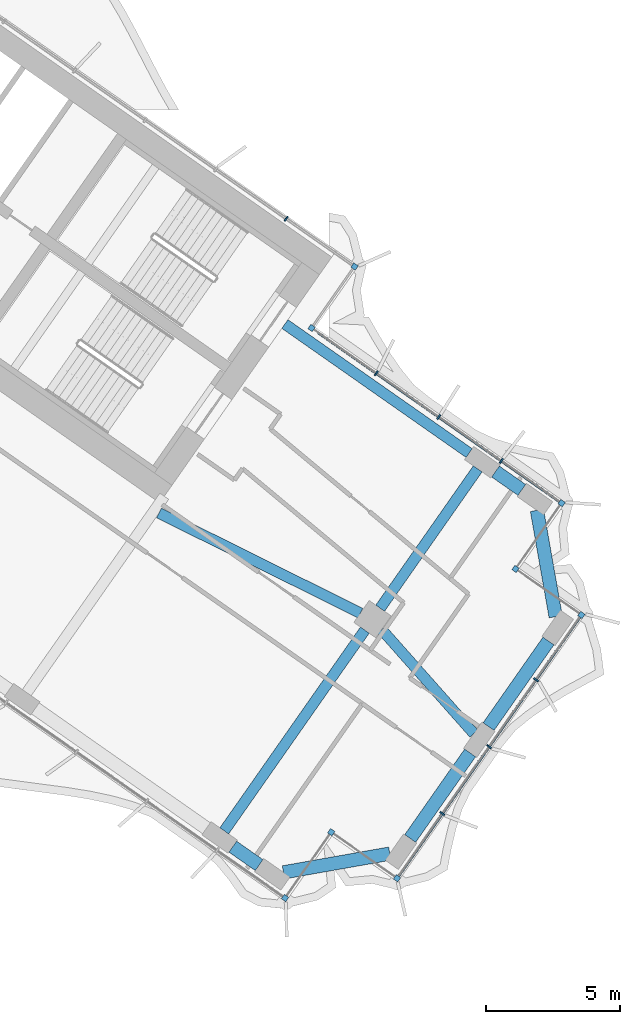
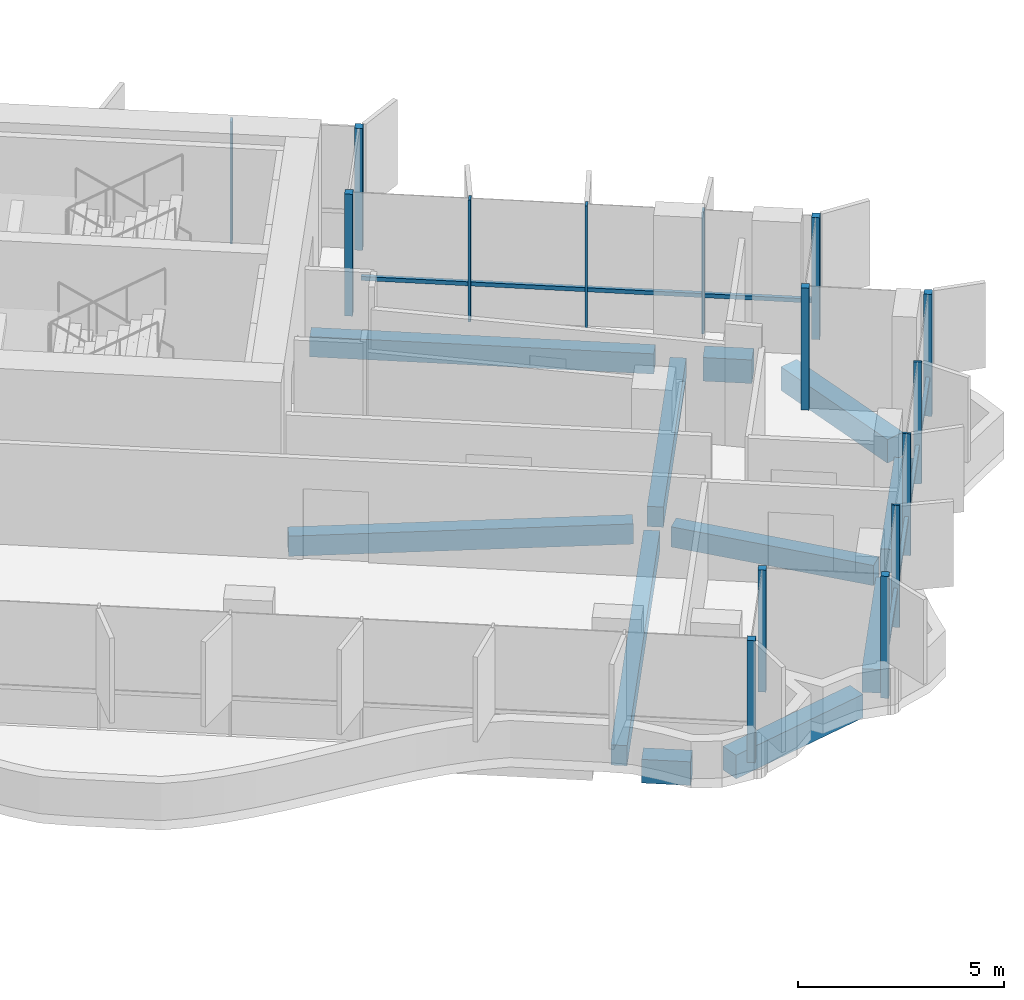
# One storey, part 9 of 21: 17 members, 11 beams, 2 elements without a shape of their own.
"""IFC4 building model written with IfcOpenShell, lengths in metres."""

from ifc_helpers import new_model, si_unit, direction, frame, origin, origin_2d, place, context, subcontext, project, spatial, rectangle, extrude, material, material_profile, profile_set, type_object, element, aggregate, save


model = new_model("IFC4")

# Units and contexts
model_context = context("Model", 3, precision=1e-05, world=origin(), true_north=direction((0.0, 1.0)))
body_context = subcontext(model_context, "Body", "Model", "MODEL_VIEW")
ifc_project = project(units=[si_unit("LENGTHUNIT", "METRE"), si_unit("AREAUNIT", "SQUARE_METRE"), si_unit("VOLUMEUNIT", "CUBIC_METRE"), si_unit("PLANEANGLEUNIT", "RADIAN"), si_unit("MASSUNIT", "GRAM", prefix="KILO")], contexts=[model_context])

# Site, building, storey
site_placement = place(None, origin())
site = spatial("IfcSite", under=ifc_project, at=site_placement, CompositionType="ELEMENT")
building_placement = place(site_placement, origin())
building = spatial("IfcBuilding", under=site, at=building_placement, Name="Tel Ilan Convention Tower", CompositionType="ELEMENT")
storey_placement = place(building_placement, frame((0.0, 0.0, 155.39990234375)))
storey = spatial("IfcBuildingStorey", under=building, at=storey_placement, Name="L35", CompositionType="ELEMENT", Elevation=155.39990234375)

# Beams
ifc_material_1 = material(Name="Concrete C40/50", Category="concrete")
ifc_material_profile_1 = material_profile(ifc_material_1, rectangle(XDim=0.39990234375, YDim=0.60009765625, at=origin_2d()), Name="RC 400x600")
ifc_profile_set_1 = profile_set([ifc_material_profile_1], Name="Concrete C40/50")
beam_type_1 = type_object("IfcBeamType", Name="Beam RC 400x600 Concrete C40/50", PredefinedType="BEAM", material=ifc_profile_set_1)
beam_1_placement = place(storey_placement, frame((33.09912109375, -14.44775390625, -0.579833984375), z_axis=(-0.819147254605, 0.573583276668, 0.0), x_axis=(-0.573583276668, -0.819147254605, 0.0)))
element("IfcBeam", 1, at=beam_1_placement, inside=storey, type_object=beam_type_1, Name="L35 beam E-E-B4-core", PredefinedType="BEAM", context=body_context, shape_type="SweptSolid", body=[
    extrude(rectangle(XDim=0.39990234375, YDim=0.60009765625, at=origin_2d()), origin(), (0.0, 0.0, 1.0), 8.400146484375),
])
beam_2_placement = place(storey_placement, frame((21.52099609375, -16.686279296875, -0.579833984375), z_axis=(0.895402365524, -0.445257907076, 0.0), x_axis=(0.445257907076, 0.895402365524, 0.0)))
element("IfcBeam", 2, at=beam_2_placement, inside=storey, type_object=beam_type_1, Name="L35 beam E-core-E-M4", PredefinedType="BEAM", context=body_context, shape_type="SweptSolid", body=[
    extrude(rectangle(XDim=0.39990234375, YDim=0.60009765625, at=origin_2d()), origin(), (0.0, 0.0, 1.0), 8.3935546875),
])
beam_3_placement = place(storey_placement, frame((29.830322265625, -21.03369140625, -0.579833984375), z_axis=(0.663175252401, -0.748464150512, 0.0), x_axis=(0.748464150512, 0.663175252401, 0.0)))
element("IfcBeam", 3, at=beam_3_placement, inside=storey, type_object=beam_type_1, Name="L35 beam E-E-M4-end", PredefinedType="BEAM", context=body_context, shape_type="SweptSolid", body=[
    extrude(rectangle(XDim=0.39990234375, YDim=0.60009765625, at=origin_2d()), origin(), (0.0, 0.0, 1.0), 5.192626953125),
])
beam_4_placement = place(storey_placement, frame((29.20263671875, -21.058349609375, -0.579833984375), z_axis=(-0.573557249804, -0.819165478519, 0.0), x_axis=(0.819165478519, -0.573557249804, 0.0)))
element("IfcBeam", 4, at=beam_4_placement, inside=storey, type_object=beam_type_1, Name="L35 beam E-E-M4-E-F4", PredefinedType="BEAM", context=body_context, shape_type="SweptSolid", body=[
    extrude(rectangle(XDim=0.39990234375, YDim=0.60009765625, at=origin_2d()), origin(), (0.0, 0.0, 1.0), 9.14990234375),
])
beam_5_placement = place(storey_placement, frame((29.7763671875, -20.2392578125, -0.579833984375), z_axis=(0.573560394383, 0.819163276762, 0.0), x_axis=(-0.819163276762, 0.573560394383, 0.0)))
element("IfcBeam", 5, at=beam_5_placement, inside=storey, type_object=beam_type_1, Name="L35 beam E-E-M4-E-B4", PredefinedType="BEAM", context=body_context, shape_type="SweptSolid", body=[
    extrude(rectangle(XDim=0.39990234375, YDim=0.60009765625, at=origin_2d()), origin(), (0.0, 0.0, 1.0), 6.349853515625),
])
ifc_material_2 = material(Name="Concrete C40/50", Category="concrete")
ifc_material_profile_2 = material_profile(ifc_material_2, rectangle(XDim=0.5, YDim=0.699951171875, at=origin_2d()), Name="RC 500x700")
ifc_profile_set_2 = profile_set([ifc_material_profile_2], Name="Concrete C40/50")
beam_type_2 = type_object("IfcBeamType", Name="Beam RC 500x700 Concrete C40/50", PredefinedType="BEAM", material=ifc_profile_set_2)
beam_6_placement = place(storey_placement, frame((24.27392578125, -29.1435546875, -0.6298828125), z_axis=(0.819155442668, -0.573571582932, 0.0), x_axis=(0.573571582932, 0.819155442668, 0.0)))
element("IfcBeam", 6, at=beam_6_placement, inside=storey, type_object=beam_type_2, Name="L35 beam E-E-F4-E-FC", PredefinedType="BEAM", context=body_context, shape_type="SweptSolid", body=[
    extrude(rectangle(XDim=0.5, YDim=0.699951171875, at=origin_2d()), origin(), (0.0, 0.0, 1.0), 1.199951171875),
])
beam_7_placement = place(storey_placement, frame((26.166259765625, -30.102294921875, -0.6298828125), z_axis=(0.984804894423, 0.173664388751, 0.0), x_axis=(-0.173664388751, 0.984804894423, 0.0)))
element("IfcBeam", 7, at=beam_7_placement, inside=storey, type_object=beam_type_2, Name="L35 beam E-E-FC-E-E1", PredefinedType="BEAM", context=body_context, shape_type="SweptSolid", body=[
    extrude(rectangle(XDim=0.5, YDim=0.699951171875, at=origin_2d()), origin(), (0.0, 0.0, 1.0), 4.030517578125),
])
for number, where, z_axis, x_axis, name in (
    (8, (30.8974609375, -28.837158203125, -0.6298828125), (0.573609383536, 0.819128973434, 0.0), (-0.819128973434, 0.573609383536, 0.0), "L35 beam E-E-E1-E-E2"),
    (9, (33.82275390625, -24.659423828125, -0.6298828125), (0.573567378001, 0.81915838694, 0.0), (-0.81915838694, 0.573567378001, 0.0), "L35 beam E-E-E2-E-E3"),
):
    element("IfcBeam", number, at=place(storey_placement, frame(where, z_axis=z_axis, x_axis=x_axis)), inside=storey, type_object=beam_type_2, Name=name, PredefinedType="BEAM", context=body_context, shape_type="SweptSolid", body=[
        extrude(rectangle(XDim=0.5, YDim=0.699951171875, at=origin_2d()), origin(), (0.0, 0.0, 1.0), 3.89990234375),
    ])
beam_8_placement = place(storey_placement, frame((36.330078125, -20.555419921875, -0.6298828125), z_axis=(-0.173664388751, 0.984804894423, 0.0), x_axis=(-0.984804894423, -0.173664388751, 0.0)))
element("IfcBeam", 10, at=beam_8_placement, inside=storey, type_object=beam_type_2, Name="L35 beam E-E-E3-E-BC", PredefinedType="BEAM", context=body_context, shape_type="SweptSolid", body=[
    extrude(rectangle(XDim=0.5, YDim=0.699951171875, at=origin_2d()), origin(), (0.0, 0.0, 1.0), 4.030517578125),
])
beam_9_placement = place(storey_placement, frame((35.06494140625, -15.82421875, -0.6298828125), z_axis=(-0.819155442668, 0.573571582932, 0.0), x_axis=(-0.573571582932, -0.819155442668, 0.0)))
element("IfcBeam", 11, at=beam_9_placement, inside=storey, type_object=beam_type_2, Name="L35 beam E-E-BC-E-B4", PredefinedType="BEAM", context=body_context, shape_type="SweptSolid", body=[
    extrude(rectangle(XDim=0.5, YDim=0.699951171875, at=origin_2d()), origin(), (0.0, 0.0, 1.0), 1.199951171875),
])

# Curtain wall, members
ifc_material_3 = material(Name="Aluminium, bronze anodised", Category="aluminium")
curtain_wall_type_1 = type_object("IfcCurtainWallType", Name="CW2 STICK CURTAIN WALL, SPANDREL PANELS", PredefinedType="NOTDEFINED", material=ifc_material_3)
curtain_wall_1_placement = place(storey_placement, origin())
curtain_wall_1 = element("IfcCurtainWall", 12, at=curtain_wall_1_placement, inside=storey, type_object=curtain_wall_type_1, Name="Curtain wall CW2-27.01", PredefinedType="NOTDEFINED")
ifc_material_4 = material(Name="Aluminium, bronze anodised", Category="aluminium")
ifc_material_profile_3 = material_profile(ifc_material_4, rectangle(XDim=0.199951171875, YDim=0.199951171875, at=origin_2d()), Name="CW CORNER MULLION 200x200")
ifc_profile_set_3 = profile_set([ifc_material_profile_3], Name="Aluminium, bronze anodised")
member_type_1 = type_object("IfcMemberType", Name="CW CORNER MULLION 200x200", PredefinedType="MULLION", material=ifc_profile_set_3)
member_1_placement = place(storey_placement, frame((27.213623046875, -9.77734375, 0.0), z_axis=(0.0, 0.0, 1.0), x_axis=(-0.819152044289, 0.573576436351, 0.0)))
member_1 = element("IfcMember", 13, at=member_1_placement, type_object=member_type_1, Name="Corner mullion", PredefinedType="MULLION", context=body_context, shape_type="SweptSolid", body=[
    extrude(rectangle(XDim=0.199951171875, YDim=0.199951171875, at=origin_2d()), origin(), (0.0, 0.0, 1.0), 3.6201171875),
])
member_2_placement = place(storey_placement, frame((28.819580078125, -7.483642578125, 0.0), z_axis=(0.0, 0.0, 1.0), x_axis=(0.573576436351, 0.819152044289, 0.0)))
member_2 = element("IfcMember", 14, at=member_2_placement, type_object=member_type_1, Name="Corner mullion", PredefinedType="MULLION", context=body_context, shape_type="SweptSolid", body=[
    extrude(rectangle(XDim=0.199951171875, YDim=0.199951171875, at=origin_2d()), origin(), (0.0, 0.0, 1.0), 3.6201171875),
])

ifc_material_5 = material(Name="Aluminium, bronze anodised", Category="aluminium")
curtain_wall_type_2 = type_object("IfcCurtainWallType", Name="CW4 STICK CURTAIN WALL, OFFICE TINTED GLASS", PredefinedType="NOTDEFINED", material=ifc_material_5)
curtain_wall_2_placement = place(storey_placement, origin())
curtain_wall_2 = element("IfcCurtainWall", 15, at=curtain_wall_2_placement, inside=storey, type_object=curtain_wall_type_2, Name="Curtain wall CW4-27.02", PredefinedType="NOTDEFINED")
member_3_placement = place(storey_placement, frame((26.2275390625, -31.060791015625, 0.0), z_axis=(0.0, 0.0, 1.0), x_axis=(0.819152044289, -0.573576436351, 0.0)))
member_3 = element("IfcMember", 16, at=member_3_placement, type_object=member_type_1, Name="Corner mullion", PredefinedType="MULLION", context=body_context, shape_type="SweptSolid", body=[
    extrude(rectangle(XDim=0.199951171875, YDim=0.199951171875, at=origin_2d()), origin(), (0.0, 0.0, 1.0), 3.6201171875),
])
member_4_placement = place(storey_placement, frame((27.9482421875, -28.603271484375, 0.0), z_axis=(0.0, 0.0, 1.0), x_axis=(0.573576436351, 0.819152044289, 0.0)))
member_4 = element("IfcMember", 17, at=member_4_placement, type_object=member_type_1, Name="Corner mullion", PredefinedType="MULLION", context=body_context, shape_type="SweptSolid", body=[
    extrude(rectangle(XDim=0.199951171875, YDim=0.199951171875, at=origin_2d()), origin(), (0.0, 0.0, 1.0), 3.6201171875),
])
member_5_placement = place(storey_placement, frame((30.40576171875, -30.323974609375, 0.0), z_axis=(0.0, 0.0, 1.0), x_axis=(0.819152044289, -0.573576436351, 0.0)))
member_5 = element("IfcMember", 18, at=member_5_placement, type_object=member_type_1, Name="Corner mullion", PredefinedType="MULLION", context=body_context, shape_type="SweptSolid", body=[
    extrude(rectangle(XDim=0.199951171875, YDim=0.199951171875, at=origin_2d()), origin(), (0.0, 0.0, 1.0), 3.6201171875),
])
member_6_placement = place(storey_placement, frame((37.28857421875, -20.494140625, 0.0), z_axis=(0.0, 0.0, 1.0), x_axis=(0.573576436351, 0.819152044289, 0.0)))
member_6 = element("IfcMember", 19, at=member_6_placement, type_object=member_type_1, Name="Corner mullion", PredefinedType="MULLION", context=body_context, shape_type="SweptSolid", body=[
    extrude(rectangle(XDim=0.199951171875, YDim=0.199951171875, at=origin_2d()), origin(), (0.0, 0.0, 1.0), 3.6201171875),
])
member_7_placement = place(storey_placement, frame((34.8310546875, -18.7734375, 0.0), z_axis=(0.0, 0.0, 1.0), x_axis=(-0.819152044289, 0.573576436351, 0.0)))
member_7 = element("IfcMember", 20, at=member_7_placement, type_object=member_type_1, Name="Corner mullion", PredefinedType="MULLION", context=body_context, shape_type="SweptSolid", body=[
    extrude(rectangle(XDim=0.199951171875, YDim=0.199951171875, at=origin_2d()), origin(), (0.0, 0.0, 1.0), 3.6201171875),
])
member_8_placement = place(storey_placement, frame((36.5517578125, -16.31591796875, 0.0), z_axis=(0.0, 0.0, 1.0), x_axis=(0.573576436351, 0.819152044289, 0.0)))
member_8 = element("IfcMember", 21, at=member_8_placement, type_object=member_type_1, Name="Corner mullion", PredefinedType="MULLION", context=body_context, shape_type="SweptSolid", body=[
    extrude(rectangle(XDim=0.199951171875, YDim=0.199951171875, at=origin_2d()), origin(), (0.0, 0.0, 1.0), 3.6201171875),
])

# Member
ifc_material_6 = material(Name="Aluminium, bronze anodised", Category="aluminium")
ifc_material_profile_4 = material_profile(ifc_material_6, rectangle(XDim=0.06005859375, YDim=0.199951171875, at=origin_2d()), Name="CW MULLION 60x200")
ifc_profile_set_4 = profile_set([ifc_material_profile_4], Name="Aluminium, bronze anodised")
member_type_2 = type_object("IfcMemberType", Name="CW MULLION 60x200", PredefinedType="MULLION", material=ifc_profile_set_4)
member_9_placement = place(storey_placement, frame((26.268798828125, -5.697509765625, 0.0), z_axis=(0.0, 0.0, 1.0), x_axis=(-0.819152044289, 0.573576436351, 0.0)))
member_9 = element("IfcMember", 22, at=member_9_placement, type_object=member_type_2, Name="Mullion", PredefinedType="MULLION", context=body_context, shape_type="SweptSolid", body=[
    extrude(rectangle(XDim=0.06005859375, YDim=0.199951171875, at=origin_2d()), origin(), (0.0, 0.0, 1.0), 3.6201171875),
])

aggregate(curtain_wall_1, [member_1, member_2, member_9])

member_10_placement = place(storey_placement, frame((32.09765625, -27.907470703125, 0.0), z_axis=(0.0, 0.0, 1.0), x_axis=(0.573576436351, 0.819152044289, 0.0)))
member_10 = element("IfcMember", 23, at=member_10_placement, type_object=member_type_2, Name="Mullion", PredefinedType="MULLION", context=body_context, shape_type="SweptSolid", body=[
    extrude(rectangle(XDim=0.06005859375, YDim=0.199951171875, at=origin_2d()), origin(), (0.0, 0.0, 1.0), 3.6201171875),
])

member_11_placement = place(storey_placement, frame((33.84716796875, -25.4091796875, 0.0), z_axis=(0.0, 0.0, 1.0), x_axis=(0.573576436351, 0.819152044289, 0.0)))
member_11 = element("IfcMember", 24, at=member_11_placement, type_object=member_type_2, Name="Mullion", PredefinedType="MULLION", context=body_context, shape_type="SweptSolid", body=[
    extrude(rectangle(XDim=0.06005859375, YDim=0.199951171875, at=origin_2d()), origin(), (0.0, 0.0, 1.0), 3.6201171875),
])

member_12_placement = place(storey_placement, frame((35.596435546875, -22.91064453125, 0.0), z_axis=(0.0, 0.0, 1.0), x_axis=(0.573576436351, 0.819152044289, 0.0)))
member_12 = element("IfcMember", 25, at=member_12_placement, type_object=member_type_2, Name="Mullion", PredefinedType="MULLION", context=body_context, shape_type="SweptSolid", body=[
    extrude(rectangle(XDim=0.06005859375, YDim=0.199951171875, at=origin_2d()), origin(), (0.0, 0.0, 1.0), 3.6201171875),
])

member_13_placement = place(storey_placement, frame((34.299072265625, -14.73876953125, 0.0), z_axis=(0.0, 0.0, 1.0), x_axis=(-0.819152044289, 0.573576436351, 0.0)))
member_13 = element("IfcMember", 26, at=member_13_placement, type_object=member_type_2, Name="Mullion", PredefinedType="MULLION", context=body_context, shape_type="SweptSolid", body=[
    extrude(rectangle(XDim=0.06005859375, YDim=0.199951171875, at=origin_2d()), origin(), (0.0, 0.0, 1.0), 3.6201171875),
])

member_14_placement = place(storey_placement, frame((31.964599609375, -13.10400390625, 0.0), z_axis=(0.0, 0.0, 1.0), x_axis=(-0.819152044289, 0.573576436351, 0.0)))
member_14 = element("IfcMember", 27, at=member_14_placement, type_object=member_type_2, Name="Mullion", PredefinedType="MULLION", context=body_context, shape_type="SweptSolid", body=[
    extrude(rectangle(XDim=0.06005859375, YDim=0.199951171875, at=origin_2d()), origin(), (0.0, 0.0, 1.0), 3.6201171875),
])

member_15_placement = place(storey_placement, frame((29.630126953125, -11.46923828125, 0.0), z_axis=(0.0, 0.0, 1.0), x_axis=(-0.819152044289, 0.573576436351, 0.0)))
member_15 = element("IfcMember", 28, at=member_15_placement, type_object=member_type_2, Name="Mullion", PredefinedType="MULLION", context=body_context, shape_type="SweptSolid", body=[
    extrude(rectangle(XDim=0.06005859375, YDim=0.199951171875, at=origin_2d()), origin(), (0.0, 0.0, 1.0), 3.6201171875),
])

ifc_material_7 = material(Name="Aluminium, bronze anodised", Category="aluminium")
ifc_material_profile_5 = material_profile(ifc_material_7, rectangle(XDim=0.10009765625, YDim=0.1201171875, at=origin_2d()), Name="CW TRANSOM 100x120")
ifc_profile_set_5 = profile_set([ifc_material_profile_5], Name="Aluminium, bronze anodised")
member_type_3 = type_object("IfcMemberType", Name="CW TRANSOM 100x120", PredefinedType="USERDEFINED", material=ifc_profile_set_5)
member_16_placement = place(storey_placement, frame((30.463134765625, -30.2421875, 1.10009765625), z_axis=(0.573567872435, 0.819158040741, 0.0), x_axis=(-0.819158040741, 0.573567872435, 0.0)))
member_16 = element("IfcMember", 29, at=member_16_placement, type_object=member_type_3, Name="Transom", ObjectType="TRANSOM", PredefinedType="USERDEFINED", context=body_context, shape_type="SweptSolid", body=[
    extrude(rectangle(XDim=0.10009765625, YDim=0.1201171875, at=origin_2d()), origin(), (0.0, 0.0, 1.0), 11.800048828125),
])

member_17_placement = place(storey_placement, frame((36.469970703125, -16.258544921875, 1.10009765625), z_axis=(-0.819154753687, 0.57357256691, 0.0), x_axis=(-0.57357256691, -0.819154753687, 0.0)))
member_17 = element("IfcMember", 30, at=member_17_placement, type_object=member_type_3, Name="Transom", ObjectType="TRANSOM", PredefinedType="USERDEFINED", context=body_context, shape_type="SweptSolid", body=[
    extrude(rectangle(XDim=0.10009765625, YDim=0.1201171875, at=origin_2d()), origin(), (0.0, 0.0, 1.0), 11.0),
])

aggregate(curtain_wall_2, [member_3, member_4, member_5, member_10, member_11, member_12, member_6, member_16, member_7, member_8, member_13, member_14, member_15, member_17])

save(model, "model.ifc")
